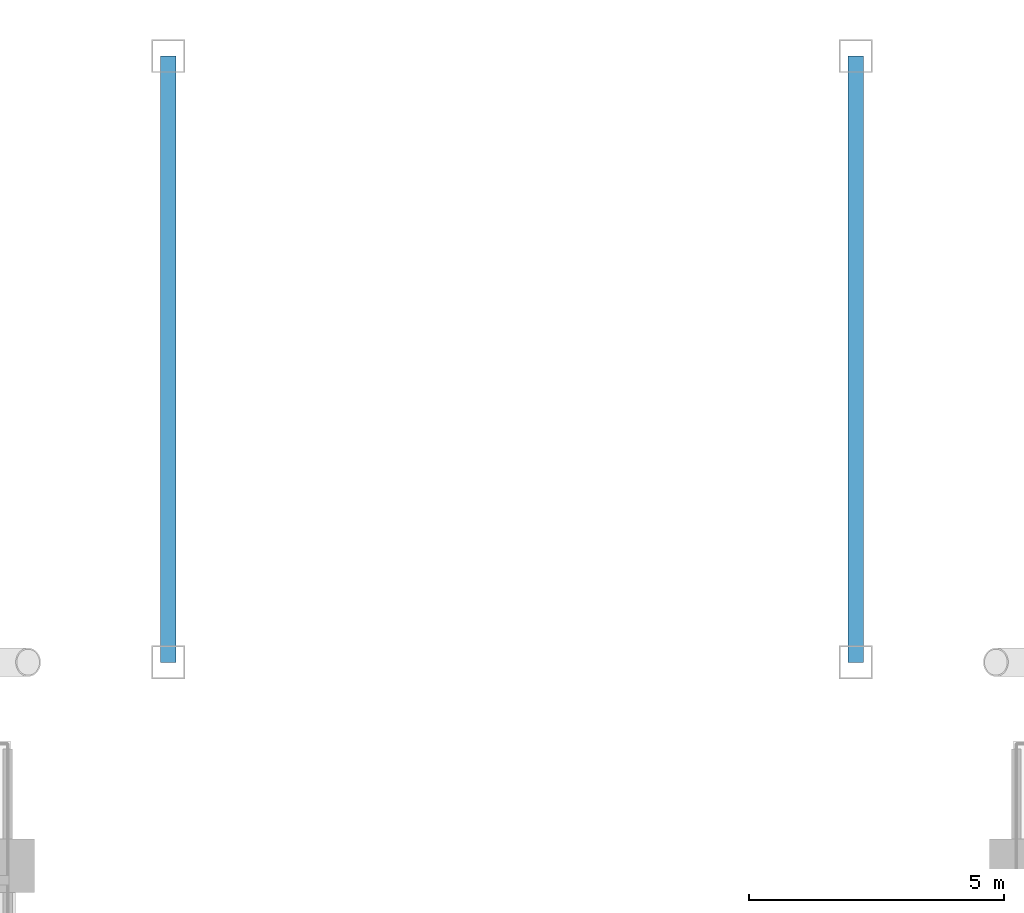
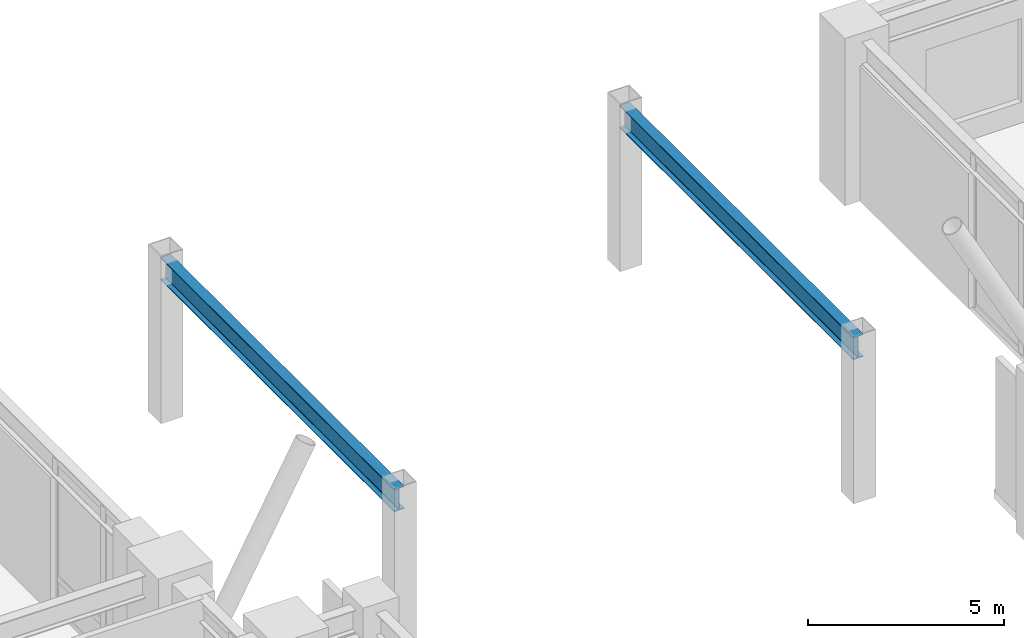
# One storey, part 13 of 27: 2 beams.
"""IFC4 building model written with IfcOpenShell, lengths in metres."""

import ifcopenshell
import ifcopenshell.guid

model = None  # the IFC model being written
_history = None  # IfcOwnerHistory: only IFC2X3 demands one
_inside = {}  # id of a spatial element -> (the spatial element, [elements in it])
_under = {}  # id of a project, library or spatial element -> (it, [spatial elements below it])
_declared = {}  # id of a project -> (the project, [libraries it declares])
_typed = {}  # id of a type object -> (the type object, [elements of that type])
_made_of = {}  # id of a material, layer set ... -> (it, [elements and type objects made of it])


def new_model(schema):
    """Start an empty IFC model of exactly this schema.

    Asked for "IFC4X3", IfcOpenShell would pick the latest addendum, in which some entities
    have other attributes; the version numbers below select the first issue.
    IFC2X3 requires an IfcOwnerHistory on every rooted entity: one is made here for all.
    """
    global model, _history
    if schema == "IFC4X3":
        model = ifcopenshell.file(schema_version=(4, 3, 0, 0))
    else:
        model = ifcopenshell.file(schema=schema)
    _inside.clear()
    _under.clear()
    _declared.clear()
    _typed.clear()
    _made_of.clear()
    _history = None
    if model.schema == "IFC2X3":
        org = make("IfcOrganization", Name="unknown")
        user = make(
            "IfcPersonAndOrganization",
            ThePerson=make("IfcPerson", FamilyName="unknown"),
            TheOrganization=org,
        )
        app = make(
            "IfcApplication",
            ApplicationDeveloper=org,
            Version="unknown",
            ApplicationFullName="unknown",
            ApplicationIdentifier="unknown",
        )
        _history = make(
            "IfcOwnerHistory",
            OwningUser=user,
            OwningApplication=app,
            ChangeAction="ADDED",
            CreationDate=0,
        )
    return model


def make(cls, **values):
    """One entity of the class cls with the attributes given. An attribute that is None is left unset."""
    return model.create_entity(
        cls, **{name: value for name, value in values.items() if value is not None}
    )


def rooted(cls, **values):
    """An entity with a GlobalId (a new one), such as an element, a storey or a relation."""
    return make(cls, GlobalId=ifcopenshell.guid.new(), OwnerHistory=_history, **values)


def si_unit(unit_type, name, prefix=None):
    """IfcSIUnit, for example si_unit("LENGTHUNIT", "METRE", prefix="MILLI")."""
    return make("IfcSIUnit", UnitType=unit_type, Prefix=prefix, Name=name)


def assignment(units):
    """IfcUnitAssignment: the units of a project."""
    return None if units is None else make("IfcUnitAssignment", Units=units)


def point(xyz):
    """IfcCartesianPoint."""
    return None if xyz is None else make("IfcCartesianPoint", Coordinates=xyz)


def direction(xyz):
    """IfcDirection."""
    return None if xyz is None else make("IfcDirection", DirectionRatios=xyz)


def frame(location, z_axis=None, x_axis=None):
    """IfcAxis2Placement3D, a coordinate frame: its origin and axes. An axis left out is left unset."""
    return make(
        "IfcAxis2Placement3D",
        Location=point(location),
        Axis=direction(z_axis),
        RefDirection=direction(x_axis),
    )


def frame_2d(location, x_axis=None):
    """IfcAxis2Placement2D, a coordinate frame in the plane: its origin and x axis."""
    return make(
        "IfcAxis2Placement2D", Location=point(location), RefDirection=direction(x_axis)
    )


def origin():
    """The frame at (0, 0, 0) with its axes left unset."""
    return frame((0.0, 0.0, 0.0))


def origin_2d():
    """The frame at (0, 0) in the plane with its x axis left unset."""
    return frame_2d((0.0, 0.0))


def place(relative_to, where):
    """IfcLocalPlacement: puts the frame where relative to a parent placement (None: the world)."""
    return make(
        "IfcLocalPlacement", PlacementRelTo=relative_to, RelativePlacement=where
    )


def context(
    kind, dimensions, precision=None, world=None, true_north=None, identifier=None
):
    """IfcGeometricRepresentationContext, for example the 3D "Model" context."""
    return make(
        "IfcGeometricRepresentationContext",
        ContextIdentifier=identifier,
        ContextType=kind,
        CoordinateSpaceDimension=dimensions,
        Precision=precision,
        WorldCoordinateSystem=world,
        TrueNorth=true_north,
    )


def subcontext(parent, identifier, kind, view, scale=None):
    """IfcGeometricRepresentationSubContext, for example "Body" below "Model"."""
    return make(
        "IfcGeometricRepresentationSubContext",
        ContextIdentifier=identifier,
        ContextType=kind,
        ParentContext=parent,
        TargetScale=scale,
        TargetView=view,
    )


def project(units=None, contexts=None):
    """IfcProject with its units and contexts."""
    return rooted(
        "IfcProject",
        Name="project",
        RepresentationContexts=contexts,
        UnitsInContext=assignment(units),
    )


def spatial(cls, under=None, at=None, **own):
    """A site, building, storey or space (cls), placed at a placement, below another one or the project."""
    s = rooted(cls, ObjectPlacement=at, **own)
    if under is not None:
        _under.setdefault(under.id(), (under, []))[1].append(s)
    return s


def profile(cls, at=None, kind="AREA", **sizes):
    """A parametric profile (cls). Its sizes go by their IFC names, for example OverallWidth=200.0."""
    return make(cls, ProfileType=kind, Position=at, **sizes)


def i_section(**sizes):
    """IfcIShapeProfileDef."""
    return profile("IfcIShapeProfileDef", **sizes)


def extrude(swept, where, along, depth):
    """IfcExtrudedAreaSolid: the profile swept, set in the frame where, extruded along a direction by depth."""
    return make(
        "IfcExtrudedAreaSolid",
        SweptArea=swept,
        Position=where,
        ExtrudedDirection=direction(along),
        Depth=depth,
    )


def shape(context_of_items, identifier, shape_type, items):
    """IfcShapeRepresentation: the items that make up one representation, for example the "Body"."""
    return make(
        "IfcShapeRepresentation",
        ContextOfItems=context_of_items,
        RepresentationIdentifier=identifier,
        RepresentationType=shape_type,
        Items=items,
    )


def material(Name=None, Category=None):
    """IfcMaterial."""
    return make("IfcMaterial", Name=Name, Category=Category)


def material_profile(
    of_material, cross_section, Name=None, Category=None, Priority=None
):
    """IfcMaterialProfile: a cross section and its material."""
    return make(
        "IfcMaterialProfile",
        Name=Name,
        Material=of_material,
        Profile=cross_section,
        Priority=Priority,
        Category=Category,
    )


def profile_set(profiles, Name=None, composite=None):
    """IfcMaterialProfileSet."""
    return make(
        "IfcMaterialProfileSet",
        Name=Name,
        MaterialProfiles=profiles,
        CompositeProfile=composite,
    )


def made_of(thing, what):
    """Note that an element or type object is made of a material, layer set ...; save() writes the relation."""
    if what is not None:
        _made_of.setdefault(what.id(), (what, []))[1].append(thing)
    return thing


def type_object(cls, material=None, **own):
    """A type object (cls), such as IfcWallType, which elements share."""
    return made_of(rooted(cls, **own), material)


def element(
    cls,
    number,
    at=None,
    inside=None,
    cuts=None,
    type_object=None,
    material=None,
    context=None,
    identifier="Body",
    shape_type=None,
    held_by="IfcProductDefinitionShape",
    body=None,
    shapes=None,
    **own,
):
    """One element of the class cls, such as IfcWall. Its Tag is "e" and its number.

    at: its placement. inside: the storey or other place that contains it. cuts: it is an
    opening in that element (IfcRelVoidsElement). A single representation is given by context,
    identifier, shape_type and body (its items); several are given by shapes. held_by: the class
    of the entity that holds the representations. save() writes the other relations.
    """
    e = rooted(cls, Tag="e%d" % number, ObjectPlacement=at, **own)
    if body is not None:
        shapes = [shape(context, identifier, shape_type, body)]
    if shapes is not None:
        e.Representation = make(held_by, Representations=shapes)
    if inside is not None:
        _inside.setdefault(inside.id(), (inside, []))[1].append(e)
    if cuts is not None:
        rooted(
            "IfcRelVoidsElement", RelatingBuildingElement=cuts, RelatedOpeningElement=e
        )
    if type_object is not None:
        _typed.setdefault(type_object.id(), (type_object, []))[1].append(e)
    return made_of(e, material)


def aggregate(whole, parts):
    """IfcRelAggregates: a whole, such as a stair, and the parts it consists of."""
    return rooted("IfcRelAggregates", RelatingObject=whole, RelatedObjects=parts)


def save(model, path):
    """Write the relations noted so far, then the file.

    IfcRelAggregates (storeys below a building ...), IfcRelContainedInSpatialStructure (elements
    in a storey), IfcRelDefinesByType, IfcRelAssociatesMaterial and IfcRelDeclares: one each for
    every whole, place, type object, material and project.
    """
    for whole, parts in _under.values():
        aggregate(whole, parts)
    for where, things in _inside.values():
        rooted(
            "IfcRelContainedInSpatialStructure",
            RelatedElements=things,
            RelatingStructure=where,
        )
    for kind, things in _typed.values():
        rooted("IfcRelDefinesByType", RelatedObjects=things, RelatingType=kind)
    for what, things in _made_of.values():
        rooted("IfcRelAssociatesMaterial", RelatedObjects=things, RelatingMaterial=what)
    for by, libraries in _declared.values():
        rooted("IfcRelDeclares", RelatingContext=by, RelatedDefinitions=libraries)
    model.write(path)


model = new_model("IFC4")

# Units and contexts
model_context = context("Model", 3, precision=1e-05, world=origin(), true_north=direction((0.0, 1.0)))
body_context = subcontext(model_context, "Body", "Model", "MODEL_VIEW")
ifc_project = project(units=[si_unit("LENGTHUNIT", "METRE"), si_unit("AREAUNIT", "SQUARE_METRE"), si_unit("VOLUMEUNIT", "CUBIC_METRE"), si_unit("PLANEANGLEUNIT", "RADIAN"), si_unit("MASSUNIT", "GRAM", prefix="KILO")], contexts=[model_context])

# Site, building, storey
site_placement = place(None, origin())
site = spatial("IfcSite", under=ifc_project, at=site_placement, CompositionType="ELEMENT")
building_placement = place(site_placement, origin())
building = spatial("IfcBuilding", under=site, at=building_placement, Name="Voryun Gate Residences", CompositionType="ELEMENT")
storey_placement = place(building_placement, frame((0.0, 0.0, 5.199951171875)))
storey = spatial("IfcBuildingStorey", under=building, at=storey_placement, Name="L01", CompositionType="ELEMENT", Elevation=5.199951171875)

# Beams
ifc_material = material(Name="Steel SM355", Category="steel")
ifc_material_profile = material_profile(ifc_material, i_section(OverallWidth=0.300048828125, OverallDepth=0.699951171875, WebThickness=0.012939453125, FlangeThickness=0.02392578125, FilletRadius=0.01806640625, at=origin_2d()), Name="H-700x300x13x24")
ifc_profile_set = profile_set([ifc_material_profile], Name="Steel SM355")
beam_type = type_object("IfcBeamType", Name="BM_GIRD_700", PredefinedType="USERDEFINED", material=ifc_profile_set)
for number, where, z_axis, x_axis, name in (
    (1, (-6.75, 11.39990234375, 4.570068359375), (0.0, 1.0, 0.0), (-1.0, 0.0, 0.0), "BM-L01-APY-N--6.75"),
    (2, (6.75, 11.39990234375, 4.570068359375), (0.0, 1.0, 0.0), (-1.0, 0.0, 0.0), "BM-L01-APY-N-+6.75"),
):
    element("IfcBeam", number, at=place(storey_placement, frame(where, z_axis=z_axis, x_axis=x_axis)), inside=storey, type_object=beam_type, Name=name, ObjectType="GIRDER", PredefinedType="USERDEFINED", context=body_context, shape_type="SweptSolid", body=[
        extrude(i_section(OverallWidth=0.300048828125, OverallDepth=0.699951171875, WebThickness=0.012939453125, FlangeThickness=0.02392578125, FilletRadius=0.01806640625, at=origin_2d()), origin(), (0.0, 0.0, 1.0), 11.900146484375),
    ])

save(model, "model.ifc")
